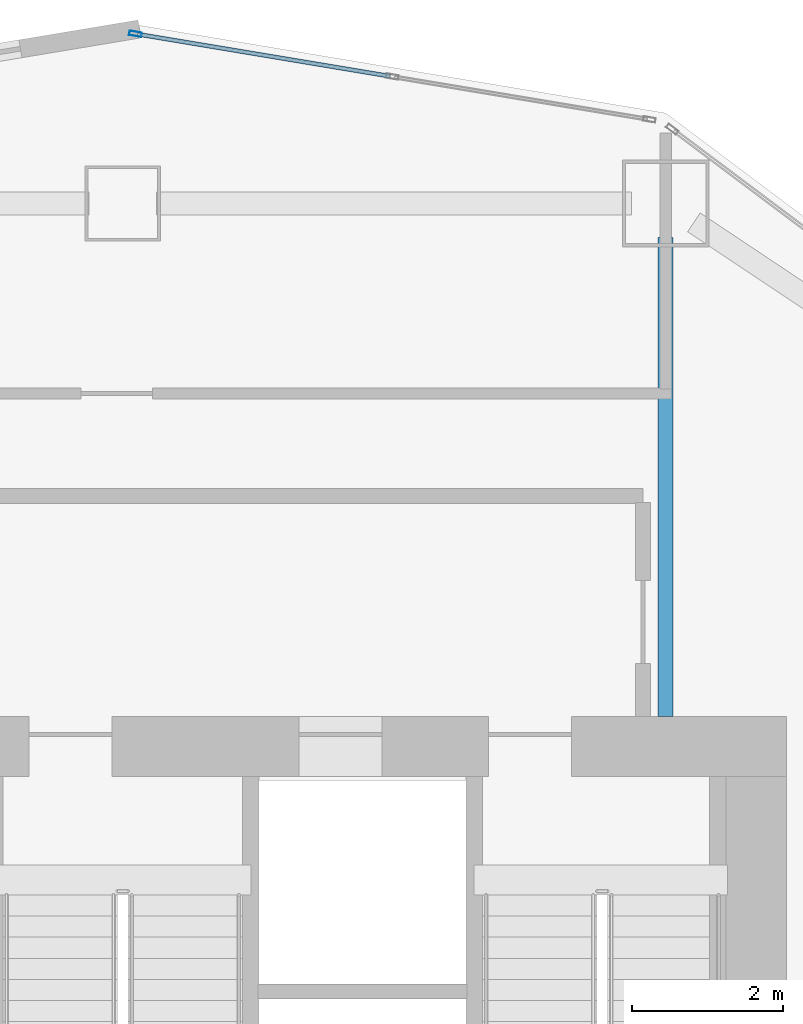
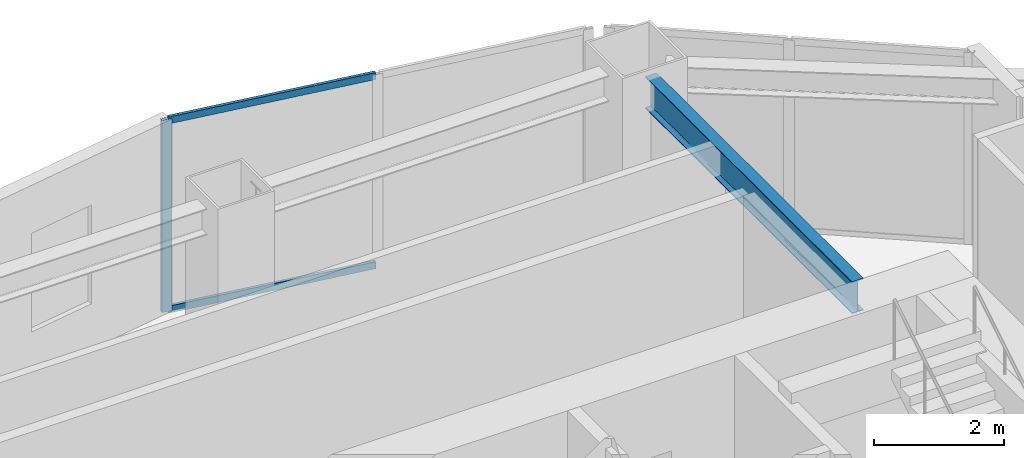
# One storey, part 2 of 16: 3 members, 1 beam, 1 element without a shape of its own.
"""IFC4 building model written with IfcOpenShell, lengths in metres."""

from ifc_helpers import new_model, si_unit, direction, frame, origin, origin_2d, place, context, subcontext, project, spatial, hollow_rectangle, i_section, extrude, material, layer, layer_set, material_profile, profile_set, type_object, element, aggregate, save


model = new_model("IFC4")

# Units and contexts
model_context = context("Model", 3, precision=1e-05, world=origin(), true_north=direction((0.0, 1.0)))
body_context = subcontext(model_context, "Body", "Model", "MODEL_VIEW")
ifc_project = project(units=[si_unit("LENGTHUNIT", "METRE"), si_unit("AREAUNIT", "SQUARE_METRE"), si_unit("VOLUMEUNIT", "CUBIC_METRE"), si_unit("PLANEANGLEUNIT", "RADIAN"), si_unit("MASSUNIT", "GRAM", prefix="KILO")], contexts=[model_context])

# Site, building, storey
site_placement = place(None, origin())
site = spatial("IfcSite", under=ifc_project, at=site_placement, CompositionType="ELEMENT")
building_placement = place(site_placement, origin())
building = spatial("IfcBuilding", under=site, at=building_placement, Name="Haolan Belvedere Tower", CompositionType="ELEMENT")
storey_placement = place(building_placement, frame((0.0, 0.0, 62.800048828125)))
storey = spatial("IfcBuildingStorey", under=building, at=storey_placement, Name="L15", CompositionType="ELEMENT", Elevation=62.800048828125)

# Beam
ifc_material_1 = material(Name="Steel Q355B", Category="steel")
ifc_material_profile_1 = material_profile(ifc_material_1, i_section(OverallWidth=0.199951171875, OverallDepth=0.60009765625, WebThickness=0.010986328125, FlangeThickness=0.01708984375, FilletRadius=0.02197265625, at=origin_2d()), Name="Steel Q355B")
ifc_profile_set_1 = profile_set([ifc_material_profile_1], Name="Steel Q355B")
beam_type = type_object("IfcBeamType", Name="BM-HN600x200x11x17", PredefinedType="BEAM", material=ifc_profile_set_1)
beam_placement = place(storey_placement, frame((45.60009765625, 49.949951171875, 3.300048828125), z_axis=(0.0, -1.0, 0.0), x_axis=(1.0, 0.0, 0.0)))
element("IfcBeam", 1, at=beam_placement, inside=storey, type_object=beam_type, Name="L15 core tie beam from MC-T3-N2", PredefinedType="BEAM", context=body_context, shape_type="SweptSolid", body=[
    extrude(i_section(OverallWidth=0.199951171875, OverallDepth=0.60009765625, WebThickness=0.010986328125, FlangeThickness=0.01708984375, FilletRadius=0.02197265625, at=origin_2d()), origin(), (0.0, 0.0, 1.0), 6.349853515625),
])

# Curtain wall, members
ifc_material_2 = material(Name="Anodised champagne-silver aluminium 6063-T6 and Low-E glass", Category="aluminium")
ifc_layer = layer(ifc_material_2, 0.1650390625, Name="Anodised champagne-silver aluminium 6063-T6 and Low-E glass")
ifc_layer_set = layer_set([ifc_layer], Name="Anodised champagne-silver aluminium 6063-T6 and Low-E glass")
curtain_wall_type = type_object("IfcCurtainWallType", Name="CW-SYS-02", PredefinedType="NOTDEFINED", material=ifc_layer_set)
curtain_wall_placement = place(storey_placement, origin())
curtain_wall = element("IfcCurtainWall", 2, at=curtain_wall_placement, inside=storey, type_object=curtain_wall_type, Name="L15 CW-SYS-02 ribbon curtain wall 42.1", PredefinedType="NOTDEFINED")
ifc_material_3 = material(Name="Anodised aluminium 6063-T6", Category="aluminium")
ifc_material_profile_2 = material_profile(ifc_material_3, hollow_rectangle(XDim=0.06005859375, YDim=0.1650390625, WallThickness=0.00390625, at=origin_2d()), Name="Anodised aluminium 6063-T6")
ifc_profile_set_2 = profile_set([ifc_material_profile_2], Name="Anodised aluminium 6063-T6")
member_type_1 = type_object("IfcMemberType", Name="CW-SYS-02-MUL", PredefinedType="MULLION", material=ifc_profile_set_2)
member_1_placement = place(storey_placement, frame((38.567626953125, 52.650390625, 0.0), z_axis=(0.0, 0.0, 1.0), x_axis=(-0.16440364043, -0.9863931483, 0.0)))
member_1 = element("IfcMember", 3, at=member_1_placement, type_object=member_type_1, Name="CW-02 mullion 3", PredefinedType="MULLION", context=body_context, shape_type="SweptSolid", body=[
    extrude(hollow_rectangle(XDim=0.06005859375, YDim=0.1650390625, WallThickness=0.00390625, at=origin_2d()), origin(), (0.0, 0.0, 1.0), 3.599853515625),
])
ifc_material_profile_3 = material_profile(ifc_material_3, hollow_rectangle(XDim=0.054931640625, YDim=0.1298828125, WallThickness=0.00390625, at=origin_2d()), Name="Anodised aluminium 6063-T6")
ifc_profile_set_3 = profile_set([ifc_material_profile_3], Name="Anodised aluminium 6063-T6")
member_type_2 = type_object("IfcMemberType", Name="CW-SYS-02-TRN", PredefinedType="USERDEFINED", material=ifc_profile_set_3)
member_2_placement = place(storey_placement, frame((41.946044921875, 52.08740234375, 0.02734375), z_axis=(-0.986395867289, 0.164387326137, 0.0), x_axis=(-0.164387326137, -0.986395867289, 0.0)))
member_2 = element("IfcMember", 4, at=member_2_placement, type_object=member_type_2, Name="CW-02 transom 2.1", ObjectType="TRANSOM", PredefinedType="USERDEFINED", context=body_context, shape_type="SweptSolid", body=[
    extrude(hollow_rectangle(XDim=0.054931640625, YDim=0.1298828125, WallThickness=0.00390625, at=origin_2d()), origin(), (0.0, 0.0, 1.0), 3.39501953125),
])
member_3_placement = place(storey_placement, frame((41.946044921875, 52.08740234375, 3.572509765625), z_axis=(-0.986395867289, 0.164387326137, 0.0), x_axis=(-0.164387326137, -0.986395867289, 0.0)))
member_3 = element("IfcMember", 5, at=member_3_placement, type_object=member_type_2, Name="CW-02 transom 2.2", ObjectType="TRANSOM", PredefinedType="USERDEFINED", context=body_context, shape_type="SweptSolid", body=[
    extrude(hollow_rectangle(XDim=0.054931640625, YDim=0.1298828125, WallThickness=0.00390625, at=origin_2d()), origin(), (0.0, 0.0, 1.0), 3.39501953125),
])
aggregate(curtain_wall, [member_1, member_2, member_3])

save(model, "model.ifc")
